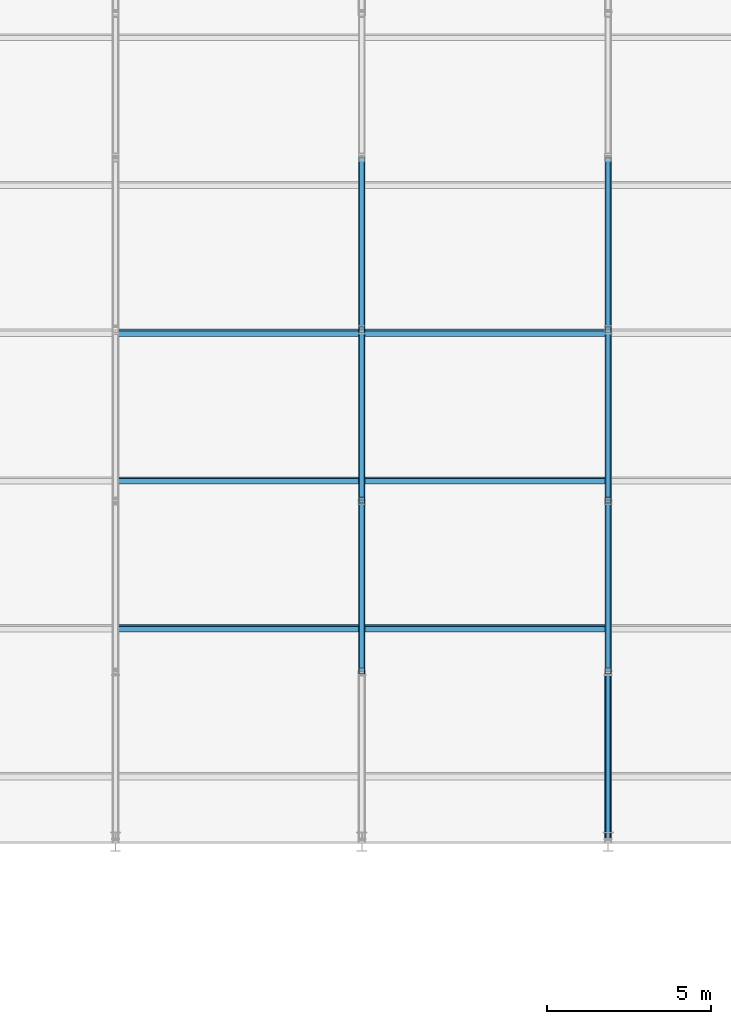
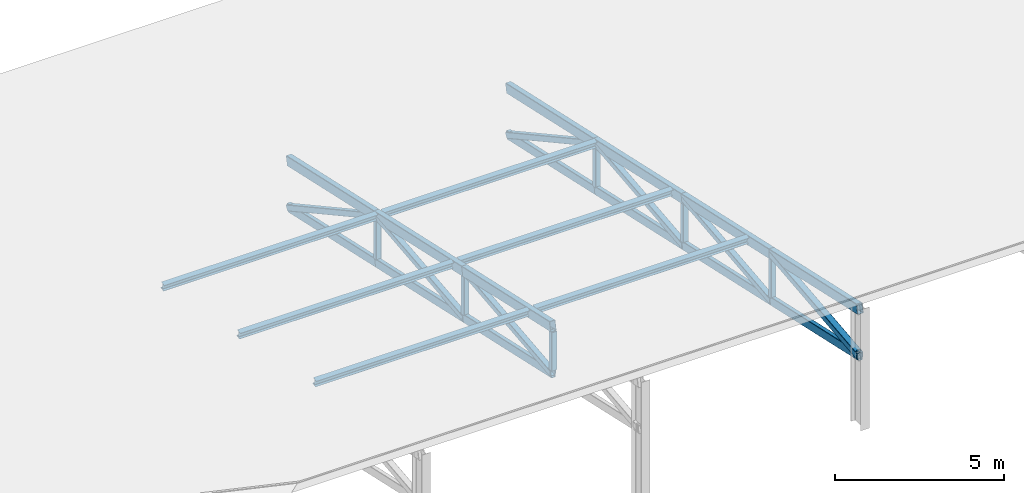
# One storey, part 32 of 77: 33 members.
"""IFC4 building model written with IfcOpenShell, lengths in metres."""

from ifc_helpers import new_model, si_unit, direction, frame, origin, origin_2d, place, context, subcontext, project, spatial, hollow_rectangle, i_section, extrude, material, material_profile, profile_set, type_object, element, save


model = new_model("IFC4")

# Units and contexts
model_context = context("Model", 3, precision=1e-05, world=origin(), true_north=direction((0.0, 1.0)))
body_context = subcontext(model_context, "Body", "Model", "MODEL_VIEW")
ifc_project = project(units=[si_unit("LENGTHUNIT", "METRE"), si_unit("AREAUNIT", "SQUARE_METRE"), si_unit("VOLUMEUNIT", "CUBIC_METRE"), si_unit("PLANEANGLEUNIT", "RADIAN"), si_unit("MASSUNIT", "GRAM", prefix="KILO")], contexts=[model_context])

# Site, building, storey
site_placement = place(None, origin())
site = spatial("IfcSite", under=ifc_project, at=site_placement, CompositionType="ELEMENT")
building_placement = place(site_placement, origin())
building = spatial("IfcBuilding", under=site, at=building_placement, Name="Yukiwa Park Conservatory and Herbarium", CompositionType="ELEMENT")
storey_placement = place(building_placement, frame((0.0, 0.0, 13.199951171875)))
storey = spatial("IfcBuildingStorey", under=building, at=storey_placement, Name="L03", CompositionType="ELEMENT", Elevation=13.199951171875)

# Members
ifc_material_1 = material(Name="Steel Q355D", Category="steel")
ifc_material_profile_1 = material_profile(ifc_material_1, hollow_rectangle(XDim=0.14990234375, YDim=0.300048828125, WallThickness=0.010009765625, InnerFilletRadius=0.010009765625, OuterFilletRadius=0.02001953125, at=origin_2d()), Name="RHS 300x150x10")
ifc_profile_set_1 = profile_set([ifc_material_profile_1], Name="Steel Q355D")
member_type_1 = type_object("IfcMemberType", Name="MB-AU-CHORD300", PredefinedType="CHORD", material=ifc_profile_set_1)
member_1_placement = place(storey_placement, frame((37.5, 83.199951171875, 1.339111328125), z_axis=(0.0, 0.976294792683, -0.216445091838), x_axis=(-1.0, 0.0, 0.0)))
element("IfcMember", 1, at=member_1_placement, inside=storey, type_object=member_type_1, Name="Auditorium roof truss 4 bottom chord 2", PredefinedType="CHORD", context=body_context, shape_type="SweptSolid", body=[
    extrude(hollow_rectangle(XDim=0.14990234375, YDim=0.300048828125, WallThickness=0.010009765625, InnerFilletRadius=0.010009765625, OuterFilletRadius=0.02001953125, at=origin_2d()), origin(), (0.0, 0.0, 1.0), 5.326171875),
])
member_2_placement = place(storey_placement, frame((37.5, 88.39990234375, 0.186279296875), z_axis=(0.0, 0.97629693996, -0.216435406126), x_axis=(-1.0, 0.0, 0.0)))
element("IfcMember", 2, at=member_2_placement, inside=storey, type_object=member_type_1, Name="Auditorium roof truss 4 bottom chord 3", PredefinedType="CHORD", context=body_context, shape_type="SweptSolid", body=[
    extrude(hollow_rectangle(XDim=0.14990234375, YDim=0.300048828125, WallThickness=0.010009765625, InnerFilletRadius=0.010009765625, OuterFilletRadius=0.02001953125, at=origin_2d()), origin(), (0.0, 0.0, 1.0), 5.326416015625),
])
member_3_placement = place(storey_placement, frame((37.5, 93.60009765625, -0.966552734375), z_axis=(0.0, 0.976294792683, -0.216445091838), x_axis=(-1.0, 0.0, 0.0)))
element("IfcMember", 3, at=member_3_placement, inside=storey, type_object=member_type_1, Name="Auditorium roof truss 4 bottom chord 4", PredefinedType="CHORD", context=body_context, shape_type="SweptSolid", body=[
    extrude(hollow_rectangle(XDim=0.14990234375, YDim=0.300048828125, WallThickness=0.010009765625, InnerFilletRadius=0.010009765625, OuterFilletRadius=0.02001953125, at=origin_2d()), origin(), (0.0, 0.0, 1.0), 5.326171875),
])
member_4_placement = place(storey_placement, frame((45.0, 78.006103515625, 2.491943359375), z_axis=(0.0, 0.976241016926, -0.216687509727), x_axis=(-1.0, 0.0, 0.0)))
element("IfcMember", 4, at=member_4_placement, inside=storey, type_object=member_type_1, Name="Auditorium roof truss 5 bottom chord 1", PredefinedType="CHORD", context=body_context, shape_type="SweptSolid", body=[
    extrude(hollow_rectangle(XDim=0.14990234375, YDim=0.300048828125, WallThickness=0.010009765625, InnerFilletRadius=0.010009765625, OuterFilletRadius=0.02001953125, at=origin_2d()), origin(), (0.0, 0.0, 1.0), 5.3203125),
])
member_5_placement = place(storey_placement, frame((45.0, 83.199951171875, 1.339111328125), z_axis=(0.0, 0.976294792683, -0.216445091838), x_axis=(-1.0, 0.0, 0.0)))
element("IfcMember", 5, at=member_5_placement, inside=storey, type_object=member_type_1, Name="Auditorium roof truss 5 bottom chord 2", PredefinedType="CHORD", context=body_context, shape_type="SweptSolid", body=[
    extrude(hollow_rectangle(XDim=0.14990234375, YDim=0.300048828125, WallThickness=0.010009765625, InnerFilletRadius=0.010009765625, OuterFilletRadius=0.02001953125, at=origin_2d()), origin(), (0.0, 0.0, 1.0), 5.326171875),
])
member_6_placement = place(storey_placement, frame((45.0, 88.39990234375, 0.186279296875), z_axis=(0.0, 0.97629693996, -0.216435406126), x_axis=(-1.0, 0.0, 0.0)))
element("IfcMember", 6, at=member_6_placement, inside=storey, type_object=member_type_1, Name="Auditorium roof truss 5 bottom chord 3", PredefinedType="CHORD", context=body_context, shape_type="SweptSolid", body=[
    extrude(hollow_rectangle(XDim=0.14990234375, YDim=0.300048828125, WallThickness=0.010009765625, InnerFilletRadius=0.010009765625, OuterFilletRadius=0.02001953125, at=origin_2d()), origin(), (0.0, 0.0, 1.0), 5.326416015625),
])
member_7_placement = place(storey_placement, frame((45.0, 93.60009765625, -0.966552734375), z_axis=(0.0, 0.976294792683, -0.216445091838), x_axis=(-1.0, 0.0, 0.0)))
element("IfcMember", 7, at=member_7_placement, inside=storey, type_object=member_type_1, Name="Auditorium roof truss 5 bottom chord 4", PredefinedType="CHORD", context=body_context, shape_type="SweptSolid", body=[
    extrude(hollow_rectangle(XDim=0.14990234375, YDim=0.300048828125, WallThickness=0.010009765625, InnerFilletRadius=0.010009765625, OuterFilletRadius=0.02001953125, at=origin_2d()), origin(), (0.0, 0.0, 1.0), 5.326171875),
])
ifc_material_2 = material(Name="Steel Q355D", Category="steel")
ifc_material_profile_2 = material_profile(ifc_material_2, hollow_rectangle(XDim=0.199951171875, YDim=0.35009765625, WallThickness=0.011962890625, InnerFilletRadius=0.011962890625, OuterFilletRadius=0.02392578125, at=origin_2d()), Name="RHS 350x200x12")
ifc_profile_set_2 = profile_set([ifc_material_profile_2], Name="Steel Q355D")
member_type_2 = type_object("IfcMemberType", Name="MB-AU-CHORD350", PredefinedType="CHORD", material=ifc_profile_set_2)
member_8_placement = place(storey_placement, frame((37.5, 83.199951171875, 3.0390625), z_axis=(0.0, 0.976294792683, -0.216445091838), x_axis=(-1.0, 0.0, 0.0)))
element("IfcMember", 8, at=member_8_placement, inside=storey, type_object=member_type_2, Name="Auditorium roof truss 4 top chord 2", PredefinedType="CHORD", context=body_context, shape_type="SweptSolid", body=[
    extrude(hollow_rectangle(XDim=0.199951171875, YDim=0.35009765625, WallThickness=0.011962890625, InnerFilletRadius=0.011962890625, OuterFilletRadius=0.02392578125, at=origin_2d()), origin(), (0.0, 0.0, 1.0), 5.326171875),
])
member_9_placement = place(storey_placement, frame((37.5, 88.39990234375, 1.88623046875), z_axis=(0.0, 0.97629693996, -0.216435406126), x_axis=(-1.0, 0.0, 0.0)))
element("IfcMember", 9, at=member_9_placement, inside=storey, type_object=member_type_2, Name="Auditorium roof truss 4 top chord 3", PredefinedType="CHORD", context=body_context, shape_type="SweptSolid", body=[
    extrude(hollow_rectangle(XDim=0.199951171875, YDim=0.35009765625, WallThickness=0.011962890625, InnerFilletRadius=0.011962890625, OuterFilletRadius=0.02392578125, at=origin_2d()), origin(), (0.0, 0.0, 1.0), 5.326416015625),
])
member_10_placement = place(storey_placement, frame((37.5, 93.60009765625, 0.7333984375), z_axis=(0.0, 0.976294792683, -0.216445091838), x_axis=(-1.0, 0.0, 0.0)))
element("IfcMember", 10, at=member_10_placement, inside=storey, type_object=member_type_2, Name="Auditorium roof truss 4 top chord 4", PredefinedType="CHORD", context=body_context, shape_type="SweptSolid", body=[
    extrude(hollow_rectangle(XDim=0.199951171875, YDim=0.35009765625, WallThickness=0.011962890625, InnerFilletRadius=0.011962890625, OuterFilletRadius=0.02392578125, at=origin_2d()), origin(), (0.0, 0.0, 1.0), 5.326171875),
])
member_11_placement = place(storey_placement, frame((45.0, 78.006103515625, 4.19189453125), z_axis=(0.0, 0.976241016926, -0.216687509727), x_axis=(-1.0, 0.0, 0.0)))
element("IfcMember", 11, at=member_11_placement, inside=storey, type_object=member_type_2, Name="Auditorium roof truss 5 top chord 1", PredefinedType="CHORD", context=body_context, shape_type="SweptSolid", body=[
    extrude(hollow_rectangle(XDim=0.199951171875, YDim=0.35009765625, WallThickness=0.011962890625, InnerFilletRadius=0.011962890625, OuterFilletRadius=0.02392578125, at=origin_2d()), origin(), (0.0, 0.0, 1.0), 5.3203125),
])
member_12_placement = place(storey_placement, frame((45.0, 83.199951171875, 3.0390625), z_axis=(0.0, 0.976294792683, -0.216445091838), x_axis=(-1.0, 0.0, 0.0)))
element("IfcMember", 12, at=member_12_placement, inside=storey, type_object=member_type_2, Name="Auditorium roof truss 5 top chord 2", PredefinedType="CHORD", context=body_context, shape_type="SweptSolid", body=[
    extrude(hollow_rectangle(XDim=0.199951171875, YDim=0.35009765625, WallThickness=0.011962890625, InnerFilletRadius=0.011962890625, OuterFilletRadius=0.02392578125, at=origin_2d()), origin(), (0.0, 0.0, 1.0), 5.326171875),
])
member_13_placement = place(storey_placement, frame((45.0, 88.39990234375, 1.88623046875), z_axis=(0.0, 0.97629693996, -0.216435406126), x_axis=(-1.0, 0.0, 0.0)))
element("IfcMember", 13, at=member_13_placement, inside=storey, type_object=member_type_2, Name="Auditorium roof truss 5 top chord 3", PredefinedType="CHORD", context=body_context, shape_type="SweptSolid", body=[
    extrude(hollow_rectangle(XDim=0.199951171875, YDim=0.35009765625, WallThickness=0.011962890625, InnerFilletRadius=0.011962890625, OuterFilletRadius=0.02392578125, at=origin_2d()), origin(), (0.0, 0.0, 1.0), 5.326416015625),
])
member_14_placement = place(storey_placement, frame((45.0, 93.60009765625, 0.7333984375), z_axis=(0.0, 0.976294792683, -0.216445091838), x_axis=(-1.0, 0.0, 0.0)))
element("IfcMember", 14, at=member_14_placement, inside=storey, type_object=member_type_2, Name="Auditorium roof truss 5 top chord 4", PredefinedType="CHORD", context=body_context, shape_type="SweptSolid", body=[
    extrude(hollow_rectangle(XDim=0.199951171875, YDim=0.35009765625, WallThickness=0.011962890625, InnerFilletRadius=0.011962890625, OuterFilletRadius=0.02392578125, at=origin_2d()), origin(), (0.0, 0.0, 1.0), 5.326171875),
])
ifc_material_3 = material(Name="Steel Q355D", Category="steel")
ifc_material_profile_3 = material_profile(ifc_material_3, hollow_rectangle(XDim=0.199951171875, YDim=0.199951171875, WallThickness=0.010009765625, InnerFilletRadius=0.010009765625, OuterFilletRadius=0.02001953125, at=origin_2d()), Name="SHS 200x200x10")
ifc_profile_set_3 = profile_set([ifc_material_profile_3], Name="Steel Q355D")
member_type_3 = type_object("IfcMemberType", Name="MB-AU-DIAG200", PredefinedType="BRACE", material=ifc_profile_set_3)
member_15_placement = place(storey_placement, frame((37.5, 83.199951171875, 1.339111328125), z_axis=(0.0, 0.994510313019, 0.10463860329), x_axis=(-1.0, 0.0, 0.0)))
element("IfcMember", 15, at=member_15_placement, inside=storey, type_object=member_type_3, Name="Auditorium roof truss 4 web diagonal 2", PredefinedType="BRACE", context=body_context, shape_type="SweptSolid", body=[
    extrude(hollow_rectangle(XDim=0.199951171875, YDim=0.199951171875, WallThickness=0.010009765625, InnerFilletRadius=0.010009765625, OuterFilletRadius=0.02001953125, at=origin_2d()), origin(), (0.0, 0.0, 1.0), 5.228759765625),
])
member_16_placement = place(storey_placement, frame((37.5, 88.39990234375, 0.186279296875), z_axis=(0.0, 0.994510824234, 0.104633744465), x_axis=(-1.0, 0.0, 0.0)))
element("IfcMember", 16, at=member_16_placement, inside=storey, type_object=member_type_3, Name="Auditorium roof truss 4 web diagonal 3", PredefinedType="BRACE", context=body_context, shape_type="SweptSolid", body=[
    extrude(hollow_rectangle(XDim=0.199951171875, YDim=0.199951171875, WallThickness=0.010009765625, InnerFilletRadius=0.010009765625, OuterFilletRadius=0.02001953125, at=origin_2d()), origin(), (0.0, 0.0, 1.0), 5.22900390625),
])
member_17_placement = place(storey_placement, frame((37.5, 93.60009765625, 0.7333984375), z_axis=(0.0, 0.876727303121, -0.480987771115), x_axis=(-1.0, 0.0, 0.0)))
element("IfcMember", 17, at=member_17_placement, inside=storey, type_object=member_type_3, Name="Auditorium roof truss 4 web diagonal 4", PredefinedType="BRACE", context=body_context, shape_type="SweptSolid", body=[
    extrude(hollow_rectangle(XDim=0.199951171875, YDim=0.199951171875, WallThickness=0.010009765625, InnerFilletRadius=0.010009765625, OuterFilletRadius=0.02001953125, at=origin_2d()), origin(), (0.0, 0.0, 1.0), 5.93115234375),
])
member_18_placement = place(storey_placement, frame((45.0, 83.199951171875, 1.339111328125), z_axis=(0.0, 0.994510313019, 0.10463860329), x_axis=(-1.0, 0.0, 0.0)))
element("IfcMember", 18, at=member_18_placement, inside=storey, type_object=member_type_3, Name="Auditorium roof truss 5 web diagonal 2", PredefinedType="BRACE", context=body_context, shape_type="SweptSolid", body=[
    extrude(hollow_rectangle(XDim=0.199951171875, YDim=0.199951171875, WallThickness=0.010009765625, InnerFilletRadius=0.010009765625, OuterFilletRadius=0.02001953125, at=origin_2d()), origin(), (0.0, 0.0, 1.0), 5.228759765625),
])
member_19_placement = place(storey_placement, frame((45.0, 88.39990234375, 0.186279296875), z_axis=(0.0, 0.994510824234, 0.104633744465), x_axis=(-1.0, 0.0, 0.0)))
element("IfcMember", 19, at=member_19_placement, inside=storey, type_object=member_type_3, Name="Auditorium roof truss 5 web diagonal 3", PredefinedType="BRACE", context=body_context, shape_type="SweptSolid", body=[
    extrude(hollow_rectangle(XDim=0.199951171875, YDim=0.199951171875, WallThickness=0.010009765625, InnerFilletRadius=0.010009765625, OuterFilletRadius=0.02001953125, at=origin_2d()), origin(), (0.0, 0.0, 1.0), 5.22900390625),
])
member_20_placement = place(storey_placement, frame((45.0, 93.60009765625, 0.7333984375), z_axis=(0.0, 0.876727303121, -0.480987771115), x_axis=(-1.0, 0.0, 0.0)))
element("IfcMember", 20, at=member_20_placement, inside=storey, type_object=member_type_3, Name="Auditorium roof truss 5 web diagonal 4", PredefinedType="BRACE", context=body_context, shape_type="SweptSolid", body=[
    extrude(hollow_rectangle(XDim=0.199951171875, YDim=0.199951171875, WallThickness=0.010009765625, InnerFilletRadius=0.010009765625, OuterFilletRadius=0.02001953125, at=origin_2d()), origin(), (0.0, 0.0, 1.0), 5.93115234375),
])
ifc_material_4 = material(Name="Steel Q355D", Category="steel")
ifc_material_profile_4 = material_profile(ifc_material_4, hollow_rectangle(XDim=0.219970703125, YDim=0.219970703125, WallThickness=0.010009765625, InnerFilletRadius=0.010009765625, OuterFilletRadius=0.02001953125, at=origin_2d()), Name="SHS 220x220x10")
ifc_profile_set_4 = profile_set([ifc_material_profile_4], Name="Steel Q355D")
member_type_4 = type_object("IfcMemberType", Name="MB-AU-DIAG220", PredefinedType="BRACE", material=ifc_profile_set_4)
member_21_placement = place(storey_placement, frame((45.0, 78.011962890625, 2.491943359375), z_axis=(0.0, 0.994485175972, 0.104877236675), x_axis=(-1.0, 0.0, 0.0)))
element("IfcMember", 21, at=member_21_placement, inside=storey, type_object=member_type_4, Name="Auditorium roof truss 5 web diagonal 1", PredefinedType="BRACE", context=body_context, shape_type="SweptSolid", body=[
    extrude(hollow_rectangle(XDim=0.219970703125, YDim=0.219970703125, WallThickness=0.010009765625, InnerFilletRadius=0.010009765625, OuterFilletRadius=0.02001953125, at=origin_2d()), origin(), (0.0, 0.0, 1.0), 5.216796875),
])
ifc_material_5 = material(Name="Steel Q355D", Category="steel")
ifc_material_profile_5 = material_profile(ifc_material_5, hollow_rectangle(XDim=0.179931640625, YDim=0.179931640625, WallThickness=0.008056640625, InnerFilletRadius=0.008056640625, OuterFilletRadius=0.01611328125, at=origin_2d()), Name="SHS 180x180x8")
ifc_profile_set_5 = profile_set([ifc_material_profile_5], Name="Steel Q355D")
member_type_5 = type_object("IfcMemberType", Name="MB-AU-WEB180", PredefinedType="MEMBER", material=ifc_profile_set_5)
for number, where, z_axis, x_axis, name in (
    (22, (37.5, 83.199951171875, 1.484130859375), (0.0, 0.0, 1.0), (1.0, 0.0, 0.0), "Auditorium roof truss 4 vertical web 1"),
    (23, (37.5, 88.39990234375, 0.331298828125), (0.0, 0.0, 1.0), (1.0, 0.0, 0.0), "Auditorium roof truss 4 vertical web 2"),
    (24, (37.5, 93.60009765625, -0.821533203125), (0.0, 0.0, 1.0), (1.0, 0.0, 0.0), "Auditorium roof truss 4 vertical web 3"),
    (25, (45.0, 83.199951171875, 1.484130859375), (0.0, 0.0, 1.0), (1.0, 0.0, 0.0), "Auditorium roof truss 5 vertical web 1"),
    (26, (45.0, 88.39990234375, 0.331298828125), (0.0, 0.0, 1.0), (1.0, 0.0, 0.0), "Auditorium roof truss 5 vertical web 2"),
    (27, (45.0, 93.60009765625, -0.821533203125), (0.0, 0.0, 1.0), (1.0, 0.0, 0.0), "Auditorium roof truss 5 vertical web 3"),
):
    element("IfcMember", number, at=place(storey_placement, frame(where, z_axis=z_axis, x_axis=x_axis)), inside=storey, type_object=member_type_5, Name=name, PredefinedType="MEMBER", context=body_context, shape_type="SweptSolid", body=[
        extrude(hollow_rectangle(XDim=0.179931640625, YDim=0.179931640625, WallThickness=0.008056640625, InnerFilletRadius=0.008056640625, OuterFilletRadius=0.01611328125, at=origin_2d()), origin(), (0.0, 0.0, 1.0), 1.385009765625),
    ])
ifc_material_6 = material(Name="Steel Q355D", Category="steel")
ifc_material_profile_6 = material_profile(ifc_material_6, i_section(OverallWidth=0.175048828125, OverallDepth=0.243896484375, WebThickness=0.007080078125, FlangeThickness=0.010986328125, FilletRadius=0.01611328125, at=origin_2d()), Name="HM 244x175x7x11")
ifc_profile_set_6 = profile_set([ifc_material_profile_6], Name="Steel Q355D")
member_type_6 = type_object("IfcMemberType", Name="MB-RF-PURL244", PredefinedType="PURLIN", material=ifc_profile_set_6)
for number, where, z_axis, x_axis, name in (
    (28, (30.094970703125, 84.5, 2.805908203125), (1.0, 0.0, 0.0), (0.0, 0.97629600712, 0.216439613938), "Auditorium roof purlin 3.84"),
    (29, (30.094970703125, 89.0, 1.808349609375), (1.0, 0.0, 0.0), (0.0, 0.97629600712, 0.216439613938), "Auditorium roof purlin 3.89"),
    (30, (30.094970703125, 93.5, 0.810546875), (1.0, 0.0, 0.0), (0.0, 0.97629600712, 0.216439613938), "Auditorium roof purlin 3.93"),
    (31, (37.594970703125, 84.5, 2.805908203125), (1.0, 0.0, 0.0), (0.0, 0.97629600712, 0.216439613938), "Auditorium roof purlin 4.84"),
    (32, (37.594970703125, 89.0, 1.808349609375), (1.0, 0.0, 0.0), (0.0, 0.97629600712, 0.216439613938), "Auditorium roof purlin 4.89"),
    (33, (37.594970703125, 93.5, 0.810546875), (1.0, 0.0, 0.0), (0.0, 0.97629600712, 0.216439613938), "Auditorium roof purlin 4.93"),
):
    element("IfcMember", number, at=place(storey_placement, frame(where, z_axis=z_axis, x_axis=x_axis)), inside=storey, type_object=member_type_6, Name=name, PredefinedType="PURLIN", context=body_context, shape_type="SweptSolid", body=[
        extrude(i_section(OverallWidth=0.175048828125, OverallDepth=0.243896484375, WebThickness=0.007080078125, FlangeThickness=0.010986328125, FilletRadius=0.01611328125, at=origin_2d()), origin(), (0.0, 0.0, 1.0), 7.31005859375),
    ])

save(model, "model.ifc")
